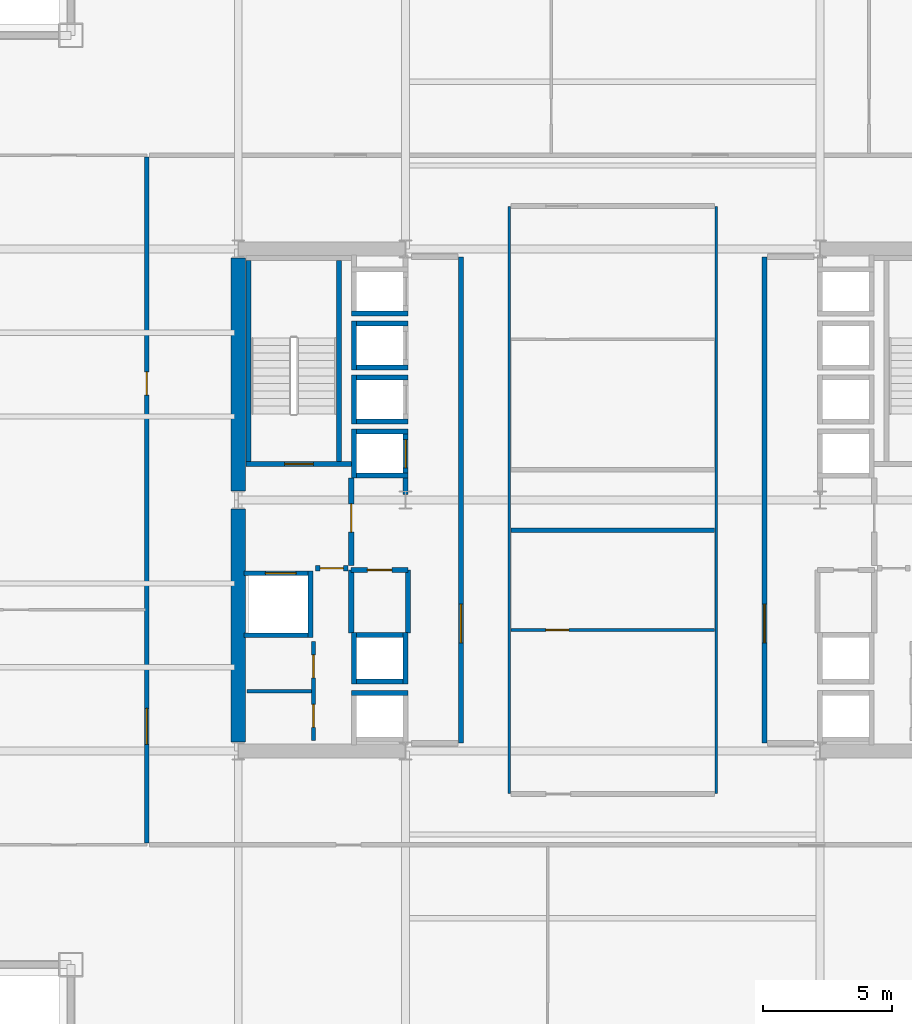
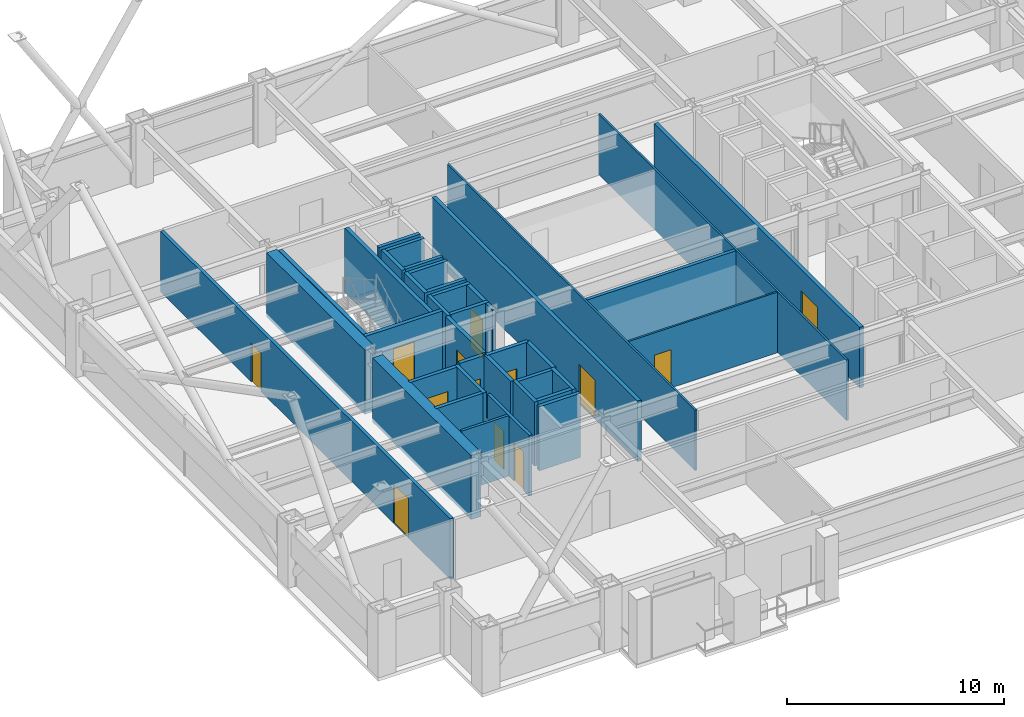
# One storey, part 27 of 33: 38 walls, 13 doors, 13 openings.
"""IFC4 building model written with IfcOpenShell, lengths in metres."""

from ifc_helpers import new_model, si_unit, direction, frame, frame_2d, origin, place, context, subcontext, project, spatial, rectangle, extrude, material, layer, layer_set, type_object, element, fill, save


model = new_model("IFC4")

# Units and contexts
model_context = context("Model", 3, precision=1e-05, world=origin(), true_north=direction((0.0, 1.0)))
body_context = subcontext(model_context, "Body", "Model", "MODEL_VIEW")
ifc_project = project(units=[si_unit("LENGTHUNIT", "METRE"), si_unit("AREAUNIT", "SQUARE_METRE"), si_unit("VOLUMEUNIT", "CUBIC_METRE"), si_unit("PLANEANGLEUNIT", "RADIAN"), si_unit("MASSUNIT", "GRAM", prefix="KILO")], contexts=[model_context])

# Site, building, storey
site_placement = place(None, origin())
site = spatial("IfcSite", under=ifc_project, at=site_placement, CompositionType="ELEMENT")
building_placement = place(site_placement, origin())
building = spatial("IfcBuilding", under=site, at=building_placement, Name="Brelmoor Portico Tower", CompositionType="ELEMENT")
storey_placement = place(building_placement, frame((0.0, 0.0, 34.800048828125)))
storey = spatial("IfcBuildingStorey", under=building, at=storey_placement, Name="L08", CompositionType="ELEMENT", Elevation=34.800048828125)

# Walls
ifc_material_1 = material(Name="Concrete C60", Category="concrete")
ifc_layer_1 = layer(ifc_material_1, 0.550048828125)
ifc_layer_set_1 = layer_set([ifc_layer_1], Name="Concrete C60")
wall_type_1 = type_object("IfcWallType", Name="WL-CORE-550", PredefinedType="SHEAR", material=ifc_layer_set_1)
for number, where, z_axis, x_axis, name in (
    (1, (-14.550048828125, -9.39990234375, -0.199951171875), (0.0, 0.0, 1.0), (0.0, 1.0, 0.0), "L08 WC Outer South Shear Wall"),
    (2, (-14.550048828125, 0.35009765625, -0.199951171875), (0.0, 0.0, 1.0), (0.0, 1.0, 0.0), "L08 WC Outer North Shear Wall"),
):
    element("IfcWall", number, at=place(storey_placement, frame(where, z_axis=z_axis, x_axis=x_axis)), inside=storey, type_object=wall_type_1, Name=name, PredefinedType="SHEAR", context=body_context, shape_type="SweptSolid", body=[
        extrude(rectangle(XDim=9.0498046875, YDim=0.550048828125, at=frame_2d((4.52490234375, 0.0))), origin(), (0.0, 0.0, 1.0), 3.599853515625),
    ])
ifc_material_2 = material(Name="Demountable Glazed Office Partition", Category="aluminium")
ifc_layer_2 = layer(ifc_material_2, 0.10009765625)
ifc_layer_set_2 = layer_set([ifc_layer_2], Name="Demountable Glazed Office Partition")
wall_type_2 = type_object("IfcWallType", Name="WL-PART-100", PredefinedType="PARTITIONING", material=ifc_layer_set_2)
for number, where, z_axis, x_axis, name in (
    (3, (-4.02001953125, -11.39990234375, 0.0), (0.0, 0.0, 1.0), (0.0, 1.0, 0.0), "L08 Central Suite West Wall"),
    (4, (4.02001953125, -11.39990234375, 0.0), (0.0, 0.0, 1.0), (0.0, 1.0, 0.0), "L08 Central Suite East Wall"),
):
    element("IfcWall", number, at=place(storey_placement, frame(where, z_axis=z_axis, x_axis=x_axis)), inside=storey, type_object=wall_type_2, Name=name, PredefinedType="PARTITIONING", context=body_context, shape_type="SweptSolid", body=[
        extrude(rectangle(XDim=22.7998046875, YDim=0.10009765625, at=frame_2d((11.39990234375, 0.0))), origin(), (0.0, 0.0, 1.0), 3.39990234375),
    ])

# Wall, opening, door
wall_1_placement = place(storey_placement, frame((-3.949951171875, -5.050048828125, 0.0), z_axis=(0.0, 0.0, 1.0), x_axis=(1.0, 0.0, 0.0)))
wall_1 = element("IfcWall", 5, at=wall_1_placement, inside=storey, type_object=wall_type_2, Name="L08 Central Print Divider", PredefinedType="PARTITIONING", context=body_context, shape_type="SweptSolid", body=[
    extrude(rectangle(XDim=7.89990234375, YDim=0.10009765625, at=frame_2d((3.949951171875, 0.0))), origin(), (0.0, 0.0, 1.0), 3.39990234375),
])
opening_1_placement = place(wall_1_placement, frame((1.35009765625, 0.0, 0.0)))
opening_1 = element("IfcOpeningElement", 6, at=opening_1_placement, cuts=wall_1, Name="Opening D-IN1", PredefinedType="OPENING", context=body_context, shape_type="SweptSolid", body=[
    extrude(rectangle(XDim=0.89990234375, YDim=2.14990234375, at=frame_2d((0.449951171875, 1.074951171875))), frame((0.0, 0.06005859375, 0.0), z_axis=(0.0, -1.0, 0.0), x_axis=(1.0, 0.0, 0.0)), (0.0, 0.0, 1.0), 0.1201171875),
])
ifc_material_3 = material(Name="Lacquered Timber Suite Door", Category="wood")
door_type_1 = type_object("IfcDoorType", Name="DR-INT-900", OperationType="NOTDEFINED", PredefinedType="DOOR", material=ifc_material_3)
door_1_placement = place(opening_1_placement, origin())
door_1 = element("IfcDoor", 7, at=door_1_placement, inside=storey, type_object=door_type_1, Name="D-0351 L08 Central Print Studio Door", OperationType="SINGLE_SWING_RIGHT", OverallHeight=2.14990234375, OverallWidth=0.89990234375, PredefinedType="DOOR", context=body_context, shape_type="SweptSolid", body=[
    extrude(rectangle(XDim=0.89990234375, YDim=2.14990234375, at=frame_2d((0.449951171875, 1.074951171875))), frame((0.0, 0.02490234375, 0.0), z_axis=(0.0, -1.0, 0.0), x_axis=(1.0, 0.0, 0.0)), (0.0, 0.0, 1.0), 0.050048828125),
])
fill(opening_1, door_1)

# Wall
ifc_material_4 = material(Name="Insulated Stud Suite Partition", Category="gypsum")
ifc_layer_3 = layer(ifc_material_4, 0.139892578125)
ifc_layer_set_3 = layer_set([ifc_layer_3], Name="Insulated Stud Suite Partition")
wall_type_3 = type_object("IfcWallType", Name="WL-PART-140", PredefinedType="PARTITIONING", material=ifc_layer_set_3)
wall_2_placement = place(storey_placement, frame((-11.699951171875, -7.425048828125, 0.0), z_axis=(0.0, 0.0, 1.0), x_axis=(-1.0, 0.0, 0.0)))
element("IfcWall", 8, at=wall_2_placement, inside=storey, type_object=wall_type_3, Name="L08 W Core WC Divider 1", PredefinedType="PARTITIONING", context=body_context, shape_type="SweptSolid", body=[
    extrude(rectangle(XDim=2.5, YDim=0.139892578125, at=frame_2d((1.25, 0.0))), origin(), (0.0, 0.0, 1.0), 3.39990234375),
])

# Wall, openings, doors
ifc_material_5 = material(Name="Twin-Frame Acoustic Partition", Category="gypsum")
ifc_layer_4 = layer(ifc_material_5, 0.159912109375)
ifc_layer_set_4 = layer_set([ifc_layer_4], Name="Twin-Frame Acoustic Partition")
wall_type_4 = type_object("IfcWallType", Name="WL-PART-160", PredefinedType="PARTITIONING", material=ifc_layer_set_4)
wall_3_placement = place(storey_placement, frame((-11.6201171875, -9.35009765625, 0.0), z_axis=(0.0, 0.0, 1.0), x_axis=(0.0, 1.0, 0.0)))
wall_3 = element("IfcWall", 9, at=wall_3_placement, inside=storey, type_object=wall_type_4, Name="L08 W Core Service Front Wall", PredefinedType="PARTITIONING", context=body_context, shape_type="SweptSolid", body=[
    extrude(rectangle(XDim=3.85009765625, YDim=0.159912109375, at=frame_2d((1.925048828125, 0.0))), origin(), (0.0, 0.0, 1.0), 3.39990234375),
])
opening_2_placement = place(wall_3_placement, frame((0.512451171875, 0.0, 0.0)))
opening_2 = element("IfcOpeningElement", 10, at=opening_2_placement, cuts=wall_3, Name="Opening D-IN1", PredefinedType="OPENING", context=body_context, shape_type="SweptSolid", body=[
    extrude(rectangle(XDim=0.89990234375, YDim=2.14990234375, at=frame_2d((0.449951171875, 1.074951171875))), frame((0.0, 0.08984375, 0.0), z_axis=(0.0, -1.0, 0.0), x_axis=(1.0, 0.0, 0.0)), (0.0, 0.0, 1.0), 0.179931640625),
])
opening_3_placement = place(wall_3_placement, frame((2.4375, 0.0, 0.0)))
opening_3 = element("IfcOpeningElement", 11, at=opening_3_placement, cuts=wall_3, Name="Opening D-IN1", PredefinedType="OPENING", context=body_context, shape_type="SweptSolid", body=[
    extrude(rectangle(XDim=0.89990234375, YDim=2.14990234375, at=frame_2d((0.449951171875, 1.074951171875))), frame((0.0, 0.08984375, 0.0), z_axis=(0.0, -1.0, 0.0), x_axis=(1.0, 0.0, 0.0)), (0.0, 0.0, 1.0), 0.179931640625),
])
door_2_placement = place(opening_2_placement, origin())
door_2 = element("IfcDoor", 12, at=door_2_placement, inside=storey, type_object=door_type_1, Name="D-0356 L08 W Accessible WC Door", OperationType="SINGLE_SWING_RIGHT", OverallHeight=2.14990234375, OverallWidth=0.89990234375, PredefinedType="DOOR", context=body_context, shape_type="SweptSolid", body=[
    extrude(rectangle(XDim=0.89990234375, YDim=2.14990234375, at=frame_2d((0.449951171875, 1.074951171875))), frame((0.0, 0.02490234375, 0.0), z_axis=(0.0, -1.0, 0.0), x_axis=(1.0, 0.0, 0.0)), (0.0, 0.0, 1.0), 0.050048828125),
])
fill(opening_2, door_2)
door_3_placement = place(opening_3_placement, origin())
door_3 = element("IfcDoor", 13, at=door_3_placement, inside=storey, type_object=door_type_1, Name="D-0357 L08 W Staff WC Door", OperationType="SINGLE_SWING_LEFT", OverallHeight=2.14990234375, OverallWidth=0.89990234375, PredefinedType="DOOR", context=body_context, shape_type="SweptSolid", body=[
    extrude(rectangle(XDim=0.89990234375, YDim=2.14990234375, at=frame_2d((0.449951171875, 1.074951171875))), frame((0.0, 0.02490234375, 0.0), z_axis=(0.0, -1.0, 0.0), x_axis=(1.0, 0.0, 0.0)), (0.0, 0.0, 1.0), 0.050048828125),
])
fill(opening_3, door_3)

# Wall
ifc_material_6 = material(Name="Acoustic Corridor Fire Partition", Category="gypsum")
ifc_layer_5 = layer(ifc_material_6, 0.179931640625)
ifc_layer_set_5 = layer_set([ifc_layer_5], Name="Acoustic Corridor Fire Partition")
wall_type_5 = type_object("IfcWallType", Name="WL-PART-180", PredefinedType="PARTITIONING", material=ifc_layer_set_5)
wall_4_placement = place(storey_placement, frame((-3.949951171875, -1.179931640625, 0.0), z_axis=(0.0, 0.0, 1.0), x_axis=(1.0, 0.0, 0.0)))
element("IfcWall", 14, at=wall_4_placement, inside=storey, type_object=wall_type_5, Name="L08 Central Pantry North Wall", PredefinedType="PARTITIONING", context=body_context, shape_type="SweptSolid", body=[
    extrude(rectangle(XDim=7.89990234375, YDim=0.179931640625, at=frame_2d((3.949951171875, 0.0))), origin(), (0.0, 0.0, 1.0), 3.39990234375),
])

# Wall, openings, doors
wall_5_placement = place(storey_placement, frame((-18.10009765625, -13.320068359375, 0.0), z_axis=(0.0, 0.0, 1.0), x_axis=(0.0, 1.0, 0.0)))
wall_5 = element("IfcWall", 15, at=wall_5_placement, inside=storey, type_object=wall_type_5, Name="L08 W Wing Corridor Wall", PredefinedType="PARTITIONING", context=body_context, shape_type="SweptSolid", body=[
    extrude(rectangle(XDim=26.64013671875, YDim=0.179931640625, at=frame_2d((13.320068359375, 0.0))), origin(), (0.0, 0.0, 1.0), 3.39990234375),
])
opening_4_placement = place(wall_5_placement, frame((3.828857421875, 0.0, 0.0)))
opening_4 = element("IfcOpeningElement", 16, at=opening_4_placement, cuts=wall_5, Name="Opening D-SU2", PredefinedType="OPENING", context=body_context, shape_type="SweptSolid", body=[
    extrude(rectangle(XDim=1.39990234375, YDim=2.199951171875, at=frame_2d((0.699951171875, 1.10009765625))), frame((0.0, 0.099853515625, 0.0), z_axis=(0.0, -1.0, 0.0), x_axis=(1.0, 0.0, 0.0)), (0.0, 0.0, 1.0), 0.199951171875),
])
opening_5_placement = place(wall_5_placement, frame((17.398681640625, 0.0, 0.0)))
opening_5 = element("IfcOpeningElement", 17, at=opening_5_placement, cuts=wall_5, Name="Opening D-IN1", PredefinedType="OPENING", context=body_context, shape_type="SweptSolid", body=[
    extrude(rectangle(XDim=0.89990234375, YDim=2.14990234375, at=frame_2d((0.449951171875, 1.074951171875))), frame((0.0, 0.099853515625, 0.0), z_axis=(0.0, -1.0, 0.0), x_axis=(1.0, 0.0, 0.0)), (0.0, 0.0, 1.0), 0.199951171875),
])
door_4_placement = place(opening_5_placement, origin())
door_4 = element("IfcDoor", 18, at=door_4_placement, inside=storey, type_object=door_type_1, Name="D-0383 L08 W Open-Plan Office 2 Door", OperationType="SINGLE_SWING_LEFT", OverallHeight=2.14990234375, OverallWidth=0.89990234375, PredefinedType="DOOR", context=body_context, shape_type="SweptSolid", body=[
    extrude(rectangle(XDim=0.89990234375, YDim=2.14990234375, at=frame_2d((0.449951171875, 1.074951171875))), frame((0.0, 0.02490234375, 0.0), z_axis=(0.0, -1.0, 0.0), x_axis=(1.0, 0.0, 0.0)), (0.0, 0.0, 1.0), 0.050048828125),
])
fill(opening_5, door_4)
ifc_material_7 = material(Name="Double-Leaf Acoustic Suite Door", Category="timber")
door_type_2 = type_object("IfcDoorType", Name="DR-SUITE-1400", OperationType="NOTDEFINED", PredefinedType="DOOR", material=ifc_material_7)
door_5_placement = place(opening_4_placement, origin())
door_5 = element("IfcDoor", 19, at=door_5_placement, inside=storey, type_object=door_type_2, Name="D-0382 L08 W Quiet Reading Study 1 Door", OperationType="DOUBLE_DOOR_SINGLE_SWING", OverallHeight=2.199951171875, OverallWidth=1.39990234375, PredefinedType="DOOR", context=body_context, shape_type="SweptSolid", body=[
    extrude(rectangle(XDim=1.39990234375, YDim=2.199951171875, at=frame_2d((0.699951171875, 1.10009765625))), frame((0.0, 0.02490234375, 0.0), z_axis=(0.0, -1.0, 0.0), x_axis=(1.0, 0.0, 0.0)), (0.0, 0.0, 1.0), 0.050048828125),
])
fill(opening_4, door_5)

# Wall, opening, door
ifc_material_8 = material(Name="Double-Stud Gypsum Fire Partition", Category="gypsum")
ifc_layer_6 = layer(ifc_material_8, 0.199951171875)
ifc_layer_set_6 = layer_set([ifc_layer_6], Name="Double-Stud Gypsum Fire Partition")
wall_type_6 = type_object("IfcWallType", Name="WL-PART-200", PredefinedType="PARTITIONING", material=ifc_layer_set_6)
wall_6_placement = place(storey_placement, frame((-5.89990234375, -9.449951171875, 0.0), z_axis=(0.0, 0.0, 1.0), x_axis=(0.0, 1.0, 0.0)))
wall_6 = element("IfcWall", 20, at=wall_6_placement, inside=storey, type_object=wall_type_6, Name="L08 W Core Lobby Compartment Wall", PredefinedType="PARTITIONING", context=body_context, shape_type="SweptSolid", body=[
    extrude(rectangle(XDim=18.89990234375, YDim=0.199951171875, at=frame_2d((9.449951171875, 0.0))), origin(), (0.0, 0.0, 1.0), 3.39990234375),
])
opening_6_placement = place(wall_6_placement, frame((3.89990234375, 0.0, 0.0)))
opening_6 = element("IfcOpeningElement", 21, at=opening_6_placement, cuts=wall_6, Name="Opening D-LB1", PredefinedType="OPENING", context=body_context, shape_type="SweptSolid", body=[
    extrude(rectangle(XDim=1.5, YDim=2.199951171875, at=frame_2d((0.75, 1.10009765625))), frame((0.0, 0.10986328125, 0.0), z_axis=(0.0, -1.0, 0.0), x_axis=(1.0, 0.0, 0.0)), (0.0, 0.0, 1.0), 0.219970703125),
])
ifc_material_9 = material(Name="Double-Leaf Glazed Steel Fire Door", Category="steel")
door_type_3 = type_object("IfcDoorType", Name="DR-LOBBY-1500", OperationType="NOTDEFINED", PredefinedType="DOOR", material=ifc_material_9)
door_6_placement = place(opening_6_placement, origin())
door_6 = element("IfcDoor", 22, at=door_6_placement, inside=storey, type_object=door_type_3, Name="D-0363 L08 W Lift Lobby Main Door", OperationType="DOUBLE_DOOR_SINGLE_SWING", OverallHeight=2.199951171875, OverallWidth=1.5, PredefinedType="DOOR", context=body_context, shape_type="SweptSolid", body=[
    extrude(rectangle(XDim=1.5, YDim=2.199951171875, at=frame_2d((0.75, 1.10009765625))), frame((0.0, 0.02490234375, 0.0), z_axis=(0.0, -1.0, 0.0), x_axis=(1.0, 0.0, 0.0)), (0.0, 0.0, 1.0), 0.050048828125),
])
fill(opening_6, door_6)

wall_7_placement = place(storey_placement, frame((-10.159912109375, -2.550048828125, 0.0), z_axis=(0.0, 0.0, 1.0), x_axis=(0.0, 1.0, 0.0)))
wall_7 = element("IfcWall", 23, at=wall_7_placement, inside=storey, type_object=wall_type_6, Name="L08 W Firefighting Lobby Wall", PredefinedType="PARTITIONING", context=body_context, shape_type="SweptSolid", body=[
    extrude(rectangle(XDim=3.400146484375, YDim=0.199951171875, at=frame_2d((1.7001953125, 0.0))), origin(), (0.0, 0.0, 1.0), 3.39990234375),
])
opening_7_placement = place(wall_7_placement, frame((1.300048828125, 0.0, 0.0)))
opening_7 = element("IfcOpeningElement", 24, at=opening_7_placement, cuts=wall_7, Name="Opening D-FR1", PredefinedType="OPENING", context=body_context, shape_type="SweptSolid", body=[
    extrude(rectangle(XDim=1.10009765625, YDim=2.14990234375, at=frame_2d((0.550048828125, 1.074951171875))), frame((0.0, 0.10986328125, 0.0), z_axis=(0.0, -1.0, 0.0), x_axis=(1.0, 0.0, 0.0)), (0.0, 0.0, 1.0), 0.219970703125),
])
ifc_material_10 = material(Name="Painted Galvanised Steel Fire Door", Category="steel")
door_type_4 = type_object("IfcDoorType", Name="DR-FIRE-1100", OperationType="NOTDEFINED", PredefinedType="DOOR", material=ifc_material_10)
door_7_placement = place(opening_7_placement, origin())
door_7 = element("IfcDoor", 25, at=door_7_placement, inside=storey, type_object=door_type_4, Name="D-0361 L08 W Firefighting Lobby Door", OperationType="SINGLE_SWING_LEFT", OverallHeight=2.14990234375, OverallWidth=1.10009765625, PredefinedType="DOOR", context=body_context, shape_type="SweptSolid", body=[
    extrude(rectangle(XDim=1.10009765625, YDim=2.14990234375, at=frame_2d((0.550048828125, 1.074951171875))), frame((0.0, 0.02490234375, 0.0), z_axis=(0.0, -1.0, 0.0), x_axis=(1.0, 0.0, 0.0)), (0.0, 0.0, 1.0), 0.050048828125),
])
fill(opening_7, door_7)

wall_8_placement = place(storey_placement, frame((-10.280029296875, -2.64990234375, 0.0), z_axis=(0.0, 0.0, 1.0), x_axis=(-1.0, 0.0, 0.0)))
wall_8 = element("IfcWall", 26, at=wall_8_placement, inside=storey, type_object=wall_type_6, Name="L08 W Firefighting Lobby South Wall", PredefinedType="PARTITIONING", context=body_context, shape_type="SweptSolid", body=[
    extrude(rectangle(XDim=1.27001953125, YDim=0.199951171875, at=frame_2d((0.635009765625, 0.0))), origin(), (0.0, 0.0, 1.0), 3.39990234375),
])
opening_8_placement = place(wall_8_placement, frame((0.18505859375, 0.0, 0.0)))
opening_8 = element("IfcOpeningElement", 27, at=opening_8_placement, cuts=wall_8, Name="Opening D-IN1", PredefinedType="OPENING", context=body_context, shape_type="SweptSolid", body=[
    extrude(rectangle(XDim=0.89990234375, YDim=2.14990234375, at=frame_2d((0.449951171875, 1.074951171875))), frame((0.0, 0.10986328125, 0.0), z_axis=(0.0, -1.0, 0.0), x_axis=(1.0, 0.0, 0.0)), (0.0, 0.0, 1.0), 0.219970703125),
])
door_8_placement = place(opening_8_placement, origin())
door_8 = element("IfcDoor", 28, at=door_8_placement, inside=storey, type_object=door_type_1, Name="D-0355 L08 W Core Service Vestibule Door", OperationType="SINGLE_SWING_RIGHT", OverallHeight=2.14990234375, OverallWidth=0.89990234375, PredefinedType="DOOR", context=body_context, shape_type="SweptSolid", body=[
    extrude(rectangle(XDim=0.89990234375, YDim=2.14990234375, at=frame_2d((0.449951171875, 1.074951171875))), frame((0.0, 0.02490234375, 0.0), z_axis=(0.0, -1.0, 0.0), x_axis=(1.0, 0.0, 0.0)), (0.0, 0.0, 1.0), 0.050048828125),
])
fill(opening_8, door_8)

wall_9_placement = place(storey_placement, frame((-7.9599609375, -2.719970703125, 0.0), z_axis=(0.0, 0.0, 1.0), x_axis=(-1.0, 0.0, 0.0)))
wall_9 = element("IfcWall", 29, at=wall_9_placement, inside=storey, type_object=wall_type_6, Name="L08 W Electrical Switchgear Closet Wall", PredefinedType="PARTITIONING", context=body_context, shape_type="SweptSolid", body=[
    extrude(rectangle(XDim=2.199951171875, YDim=0.199951171875, at=frame_2d((1.10009765625, 0.0))), origin(), (0.0, 0.0, 1.0), 3.39990234375),
])
opening_9_placement = place(wall_9_placement, frame((0.6201171875, 0.0, 0.0)))
opening_9 = element("IfcOpeningElement", 30, at=opening_9_placement, cuts=wall_9, Name="Opening D-FR4", PredefinedType="OPENING", context=body_context, shape_type="SweptSolid", body=[
    extrude(rectangle(XDim=0.949951171875, YDim=2.10009765625, at=frame_2d((0.47509765625, 1.050048828125))), frame((0.0, 0.10986328125, 0.0), z_axis=(0.0, -1.0, 0.0), x_axis=(1.0, 0.0, 0.0)), (0.0, 0.0, 1.0), 0.219970703125),
])
ifc_material_11 = material(Name="Painted Galvanised Steel Riser Door", Category="steel")
door_type_5 = type_object("IfcDoorType", Name="DR-FIRE-950", OperationType="NOTDEFINED", PredefinedType="DOOR", material=ifc_material_11)
door_9_placement = place(opening_9_placement, origin())
door_9 = element("IfcDoor", 31, at=door_9_placement, inside=storey, type_object=door_type_5, Name="D-0359 L08 W Electrical Switchgear Closet Door", OperationType="SINGLE_SWING_LEFT", OverallHeight=2.10009765625, OverallWidth=0.949951171875, PredefinedType="DOOR", context=body_context, shape_type="SweptSolid", body=[
    extrude(rectangle(XDim=0.949951171875, YDim=2.10009765625, at=frame_2d((0.47509765625, 1.050048828125))), frame((0.0, 0.02490234375, 0.0), z_axis=(0.0, -1.0, 0.0), x_axis=(1.0, 0.0, 0.0)), (0.0, 0.0, 1.0), 0.050048828125),
])
fill(opening_9, door_9)

# Walls
for number, where, z_axis, x_axis, name in (
    (32, (-7.9599609375, -5.159912109375, 0.0), (0.0, 0.0, 1.0), (0.0, 1.0, 0.0), "L08 W Electrical Switchgear Closet Inner Wall"),
    (33, (-10.159912109375, -5.159912109375, 0.0), (0.0, 0.0, 1.0), (0.0, 1.0, 0.0), "L08 W Electrical Switchgear Closet Outer Wall"),
):
    element("IfcWall", number, at=place(storey_placement, frame(where, z_axis=z_axis, x_axis=x_axis)), inside=storey, type_object=wall_type_6, Name=name, PredefinedType="PARTITIONING", context=body_context, shape_type="SweptSolid", body=[
        extrude(rectangle(XDim=2.43994140625, YDim=0.199951171875, at=frame_2d((1.219970703125, 0.0))), origin(), (0.0, 0.0, 1.0), 3.39990234375),
    ])

# Wall, opening, door
wall_10_placement = place(storey_placement, frame((5.89990234375, -9.449951171875, 0.0), z_axis=(0.0, 0.0, 1.0), x_axis=(0.0, 1.0, 0.0)))
wall_10 = element("IfcWall", 34, at=wall_10_placement, inside=storey, type_object=wall_type_6, Name="L08 E Core Lobby Compartment Wall", PredefinedType="PARTITIONING", context=body_context, shape_type="SweptSolid", body=[
    extrude(rectangle(XDim=18.89990234375, YDim=0.199951171875, at=frame_2d((9.449951171875, 0.0))), origin(), (0.0, 0.0, 1.0), 3.39990234375),
])
opening_10_placement = place(wall_10_placement, frame((3.89990234375, 0.0, 0.0)))
opening_10 = element("IfcOpeningElement", 35, at=opening_10_placement, cuts=wall_10, Name="Opening D-LB1", PredefinedType="OPENING", context=body_context, shape_type="SweptSolid", body=[
    extrude(rectangle(XDim=1.5, YDim=2.199951171875, at=frame_2d((0.75, 1.10009765625))), frame((0.0, 0.10986328125, 0.0), z_axis=(0.0, -1.0, 0.0), x_axis=(1.0, 0.0, 0.0)), (0.0, 0.0, 1.0), 0.219970703125),
])
door_10_placement = place(opening_10_placement, origin())
door_10 = element("IfcDoor", 36, at=door_10_placement, inside=storey, type_object=door_type_3, Name="D-0362 L08 E Lift Lobby Main Door", OperationType="DOUBLE_DOOR_SINGLE_SWING", OverallHeight=2.199951171875, OverallWidth=1.5, PredefinedType="DOOR", context=body_context, shape_type="SweptSolid", body=[
    extrude(rectangle(XDim=1.5, YDim=2.199951171875, at=frame_2d((0.75, 1.10009765625))), frame((0.0, 0.02490234375, 0.0), z_axis=(0.0, -1.0, 0.0), x_axis=(1.0, 0.0, 0.0)), (0.0, 0.0, 1.0), 0.050048828125),
])
fill(opening_10, door_10)

ifc_material_12 = material(Name="Precast Concrete C40", Category="concrete")
ifc_layer_7 = layer(ifc_material_12, 0.18994140625)
ifc_layer_set_7 = layer_set([ifc_layer_7], Name="Precast Concrete C40")
wall_type_7 = type_object("IfcWallType", Name="WL-SHAFT-180", PredefinedType="SOLIDWALL", material=ifc_layer_set_7)
wall_11_placement = place(storey_placement, frame((-8.044921875, 0.2099609375, -0.199951171875), z_axis=(0.0, 0.0, 1.0), x_axis=(0.0, 1.0, 0.0)))
wall_11 = element("IfcWall", 37, at=wall_11_placement, inside=storey, type_object=wall_type_7, Name="L08 Lift PL1 Hoistway Front Wall", PredefinedType="SOLIDWALL", context=body_context, shape_type="SweptSolid", body=[
    extrude(rectangle(XDim=2.5400390625, YDim=0.18994140625, at=frame_2d((1.27001953125, 0.0))), origin(), (0.0, 0.0, 1.0), 3.599853515625),
])
opening_11_placement = place(wall_11_placement, frame((1.0400390625, 0.0, 0.199951171875)))
opening_11 = element("IfcOpeningElement", 38, at=opening_11_placement, cuts=wall_11, Name="Opening LD-01", PredefinedType="OPENING", context=body_context, shape_type="SweptSolid", body=[
    extrude(rectangle(XDim=1.10009765625, YDim=2.199951171875, at=frame_2d((0.550048828125, 1.10009765625))), frame((0.0, 0.10498046875, 0.0), z_axis=(0.0, -1.0, 0.0), x_axis=(1.0, 0.0, 0.0)), (0.0, 0.0, 1.0), 0.2099609375),
])
ifc_material_13 = material(Name="Brushed Stainless Steel Sliding Lift Door", Category="steel")
door_type_6 = type_object("IfcDoorType", Name="DR-LIFT-1100", OperationType="NOTDEFINED", PredefinedType="DOOR", material=ifc_material_13)
door_11_placement = place(opening_11_placement, origin())
door_11 = element("IfcDoor", 39, at=door_11_placement, inside=storey, type_object=door_type_6, Name="D-0387 L08 Lift PL1 Sliding Landing Door", OperationType="SLIDING_TO_LEFT", OverallHeight=2.199951171875, OverallWidth=1.10009765625, PredefinedType="DOOR", context=body_context, shape_type="SweptSolid", body=[
    extrude(rectangle(XDim=1.10009765625, YDim=2.199951171875, at=frame_2d((0.550048828125, 1.10009765625))), frame((0.0, 0.02490234375, 0.0), z_axis=(0.0, -1.0, 0.0), x_axis=(1.0, 0.0, 0.0)), (0.0, 0.0, 1.0), 0.050048828125),
])
fill(opening_11, door_11)

# Walls
wall_12_placement = place(storey_placement, frame((-10.054931640625, 0.85009765625, -0.199951171875), z_axis=(0.0, 0.0, 1.0), x_axis=(0.0, 1.0, 0.0)))
element("IfcWall", 40, at=wall_12_placement, inside=storey, type_object=wall_type_7, Name="L08 Lift PL1 Hoistway Back Wall", PredefinedType="SOLIDWALL", context=body_context, shape_type="SweptSolid", body=[
    extrude(rectangle(XDim=1.89990234375, YDim=0.18994140625, at=frame_2d((0.949951171875, 0.0))), origin(), (0.0, 0.0, 1.0), 3.599853515625),
])
for number, where, z_axis, x_axis, name in (
    (41, (-10.14990234375, 2.655029296875, -0.199951171875), (0.0, 0.0, 1.0), (1.0, 0.0, 0.0), "L08 Lift PL1 Hoistway North Wall"),
    (42, (-10.14990234375, 0.945068359375, -0.199951171875), (0.0, 0.0, 1.0), (1.0, 0.0, 0.0), "L08 Lift PL1 Hoistway South Wall"),
):
    element("IfcWall", number, at=place(storey_placement, frame(where, z_axis=z_axis, x_axis=x_axis)), inside=storey, type_object=wall_type_7, Name=name, PredefinedType="SOLIDWALL", context=body_context, shape_type="SweptSolid", body=[
        extrude(rectangle(XDim=2.199951171875, YDim=0.18994140625, at=frame_2d((1.10009765625, 0.0))), origin(), (0.0, 0.0, 1.0), 3.599853515625),
    ])
wall_13_placement = place(storey_placement, frame((-10.054931640625, 2.949951171875, -0.199951171875), z_axis=(0.0, 0.0, 1.0), x_axis=(0.0, 1.0, 0.0)))
element("IfcWall", 43, at=wall_13_placement, inside=storey, type_object=wall_type_7, Name="L08 Lift PL2 Hoistway Back Wall", PredefinedType="SOLIDWALL", context=body_context, shape_type="SweptSolid", body=[
    extrude(rectangle(XDim=1.900146484375, YDim=0.18994140625, at=frame_2d((0.9501953125, 0.0))), origin(), (0.0, 0.0, 1.0), 3.599853515625),
])
for number, where, z_axis, x_axis, name in (
    (44, (-10.14990234375, 4.7548828125, -0.199951171875), (0.0, 0.0, 1.0), (1.0, 0.0, 0.0), "L08 Lift PL2 Hoistway North Wall"),
    (45, (-10.14990234375, 3.044921875, -0.199951171875), (0.0, 0.0, 1.0), (1.0, 0.0, 0.0), "L08 Lift PL2 Hoistway South Wall"),
):
    element("IfcWall", number, at=place(storey_placement, frame(where, z_axis=z_axis, x_axis=x_axis)), inside=storey, type_object=wall_type_7, Name=name, PredefinedType="SOLIDWALL", context=body_context, shape_type="SweptSolid", body=[
        extrude(rectangle(XDim=2.199951171875, YDim=0.18994140625, at=frame_2d((1.10009765625, 0.0))), origin(), (0.0, 0.0, 1.0), 3.599853515625),
    ])
wall_14_placement = place(storey_placement, frame((-10.054931640625, 5.050048828125, -0.199951171875), z_axis=(0.0, 0.0, 1.0), x_axis=(0.0, 1.0, 0.0)))
element("IfcWall", 46, at=wall_14_placement, inside=storey, type_object=wall_type_7, Name="L08 Lift PL3 Hoistway Back Wall", PredefinedType="SOLIDWALL", context=body_context, shape_type="SweptSolid", body=[
    extrude(rectangle(XDim=1.89990234375, YDim=0.18994140625, at=frame_2d((0.949951171875, 0.0))), origin(), (0.0, 0.0, 1.0), 3.599853515625),
])
for number, where, z_axis, x_axis, name in (
    (47, (-10.14990234375, 6.85498046875, -0.199951171875), (0.0, 0.0, 1.0), (1.0, 0.0, 0.0), "L08 Lift PL3 Hoistway North Wall"),
    (48, (-10.14990234375, 5.14501953125, -0.199951171875), (0.0, 0.0, 1.0), (1.0, 0.0, 0.0), "L08 Lift PL3 Hoistway South Wall"),
    (49, (-10.14990234375, 7.2451171875, -0.199951171875), (0.0, 0.0, 1.0), (1.0, 0.0, 0.0), "L08 Lift PL4 Hoistway South Wall"),
    (50, (-10.14990234375, -7.4951171875, -0.199951171875), (0.0, 0.0, 1.0), (1.0, 0.0, 0.0), "L08 Lift PH1 Hoistway North Wall"),
):
    element("IfcWall", number, at=place(storey_placement, frame(where, z_axis=z_axis, x_axis=x_axis)), inside=storey, type_object=wall_type_7, Name=name, PredefinedType="SOLIDWALL", context=body_context, shape_type="SweptSolid", body=[
        extrude(rectangle(XDim=2.199951171875, YDim=0.18994140625, at=frame_2d((1.10009765625, 0.0))), origin(), (0.0, 0.0, 1.0), 3.599853515625),
    ])
for number, where, z_axis, x_axis, name in (
    (51, (-8.044921875, -7.14990234375, -0.199951171875), (0.0, 0.0, 1.0), (0.0, 1.0, 0.0), "L08 Lift PH2 Hoistway Front Wall"),
    (52, (-10.054931640625, -7.14990234375, -0.199951171875), (0.0, 0.0, 1.0), (0.0, 1.0, 0.0), "L08 Lift PH2 Hoistway Back Wall"),
):
    element("IfcWall", number, at=place(storey_placement, frame(where, z_axis=z_axis, x_axis=x_axis)), inside=storey, type_object=wall_type_7, Name=name, PredefinedType="SOLIDWALL", context=body_context, shape_type="SweptSolid", body=[
        extrude(rectangle(XDim=2.0, YDim=0.18994140625, at=frame_2d((1.0, 0.0))), origin(), (0.0, 0.0, 1.0), 3.599853515625),
    ])
for number, where, z_axis, x_axis, name in (
    (53, (-10.14990234375, -5.2451171875, -0.199951171875), (0.0, 0.0, 1.0), (1.0, 0.0, 0.0), "L08 Lift PH2 Hoistway North Wall"),
    (54, (-10.14990234375, -7.054931640625, -0.199951171875), (0.0, 0.0, 1.0), (1.0, 0.0, 0.0), "L08 Lift PH2 Hoistway South Wall"),
):
    element("IfcWall", number, at=place(storey_placement, frame(where, z_axis=z_axis, x_axis=x_axis)), inside=storey, type_object=wall_type_7, Name=name, PredefinedType="SOLIDWALL", context=body_context, shape_type="SweptSolid", body=[
        extrude(rectangle(XDim=2.199951171875, YDim=0.18994140625, at=frame_2d((1.10009765625, 0.0))), origin(), (0.0, 0.0, 1.0), 3.599853515625),
    ])

# Wall, opening, door
wall_15_placement = place(storey_placement, frame((-14.330078125, -2.844970703125, -0.199951171875), z_axis=(0.0, 0.0, 1.0), x_axis=(1.0, 0.0, 0.0)))
wall_15 = element("IfcWall", 55, at=wall_15_placement, inside=storey, type_object=wall_type_7, Name="L08 Lift FF1 Hoistway Front Wall", PredefinedType="SOLIDWALL", context=body_context, shape_type="SweptSolid", body=[
    extrude(rectangle(XDim=2.68017578125, YDim=0.18994140625, at=frame_2d((1.340087890625, 0.0))), origin(), (0.0, 0.0, 1.0), 3.599853515625),
])
opening_12_placement = place(wall_15_placement, frame((0.830078125, 0.0, 0.199951171875)))
opening_12 = element("IfcOpeningElement", 56, at=opening_12_placement, cuts=wall_15, Name="Opening LD-02", PredefinedType="OPENING", context=body_context, shape_type="SweptSolid", body=[
    extrude(rectangle(XDim=1.199951171875, YDim=2.199951171875, at=frame_2d((0.60009765625, 1.10009765625))), frame((0.0, 0.10498046875, 0.0), z_axis=(0.0, -1.0, 0.0), x_axis=(1.0, 0.0, 0.0)), (0.0, 0.0, 1.0), 0.2099609375),
])
ifc_material_14 = material(Name="Brushed Stainless Steel Firefighting Lift Door", Category="steel")
door_type_7 = type_object("IfcDoorType", Name="DR-LIFT-1200", OperationType="NOTDEFINED", PredefinedType="DOOR", material=ifc_material_14)
door_12_placement = place(opening_12_placement, origin())
door_12 = element("IfcDoor", 57, at=door_12_placement, inside=storey, type_object=door_type_7, Name="D-0385 L08 Lift FF1 Sliding Landing Door", OperationType="SLIDING_TO_LEFT", OverallHeight=2.199951171875, OverallWidth=1.199951171875, PredefinedType="DOOR", context=body_context, shape_type="SweptSolid", body=[
    extrude(rectangle(XDim=1.199951171875, YDim=2.199951171875, at=frame_2d((0.60009765625, 1.10009765625))), frame((0.0, 0.02490234375, 0.0), z_axis=(0.0, -1.0, 0.0), x_axis=(1.0, 0.0, 0.0)), (0.0, 0.0, 1.0), 0.050048828125),
])
fill(opening_12, door_12)

# Walls
wall_16_placement = place(storey_placement, frame((-14.330078125, -5.2548828125, -0.199951171875), z_axis=(0.0, 0.0, 1.0), x_axis=(1.0, 0.0, 0.0)))
element("IfcWall", 58, at=wall_16_placement, inside=storey, type_object=wall_type_7, Name="L08 Firefighting Lift FF1 South Wall", PredefinedType="SOLIDWALL", context=body_context, shape_type="SweptSolid", body=[
    extrude(rectangle(XDim=2.68017578125, YDim=0.18994140625, at=frame_2d((1.340087890625, 0.0))), origin(), (0.0, 0.0, 1.0), 3.599853515625),
])
wall_17_placement = place(storey_placement, frame((-11.7451171875, -5.35009765625, -0.199951171875), z_axis=(0.0, 0.0, 1.0), x_axis=(0.0, 1.0, 0.0)))
element("IfcWall", 59, at=wall_17_placement, inside=storey, type_object=wall_type_7, Name="L08 Firefighting Lift FF1 Inner Wall", PredefinedType="SOLIDWALL", context=body_context, shape_type="SweptSolid", body=[
    extrude(rectangle(XDim=2.60009765625, YDim=0.18994140625, at=frame_2d((1.300048828125, 0.0))), origin(), (0.0, 0.0, 1.0), 3.599853515625),
])
ifc_material_15 = material(Name="Concrete C40", Category="concrete")
ifc_layer_8 = layer(ifc_material_15, 0.199951171875)
ifc_layer_set_8 = layer_set([ifc_layer_8], Name="Concrete C40")
wall_type_8 = type_object("IfcWallType", Name="WL-SHAFT-RC200", PredefinedType="SOLIDWALL", material=ifc_layer_set_8)
wall_18_placement = place(storey_placement, frame((-14.14990234375, 1.5, -0.199951171875), z_axis=(0.0, 0.0, 1.0), x_axis=(0.0, 1.0, 0.0)))
element("IfcWall", 60, at=wall_18_placement, inside=storey, type_object=wall_type_8, Name="L08 ST-W Structural Stair Wall Outer", PredefinedType="SOLIDWALL", context=body_context, shape_type="SweptSolid", body=[
    extrude(rectangle(XDim=7.800048828125, YDim=0.199951171875, at=frame_2d((3.89990234375, 0.0))), origin(), (0.0, 0.0, 1.0), 3.599853515625),
])

# Wall, opening, door
wall_19_placement = place(storey_placement, frame((-14.25, 1.39990234375, -0.199951171875), z_axis=(0.0, 0.0, 1.0), x_axis=(1.0, 0.0, 0.0)))
wall_19 = element("IfcWall", 61, at=wall_19_placement, inside=storey, type_object=wall_type_8, Name="L08 ST-W Structural Stair Wall S", PredefinedType="SOLIDWALL", context=body_context, shape_type="SweptSolid", body=[
    extrude(rectangle(XDim=4.10009765625, YDim=0.199951171875, at=frame_2d((2.050048828125, 0.0))), origin(), (0.0, 0.0, 1.0), 3.599853515625),
])
opening_13_placement = place(wall_19_placement, frame((1.5, 0.0, 0.199951171875)))
opening_13 = element("IfcOpeningElement", 62, at=opening_13_placement, cuts=wall_19, Name="Opening D-ST1", PredefinedType="OPENING", context=body_context, shape_type="SweptSolid", body=[
    extrude(rectangle(XDim=1.1201171875, YDim=2.179931640625, at=frame_2d((0.56005859375, 1.08984375))), frame((0.0, 0.10986328125, 0.0), z_axis=(0.0, -1.0, 0.0), x_axis=(1.0, 0.0, 0.0)), (0.0, 0.0, 1.0), 0.219970703125),
])
door_type_8 = type_object("IfcDoorType", Name="DR-STAIR-1100", OperationType="NOTDEFINED", PredefinedType="DOOR", material=ifc_material_10)
door_13_placement = place(opening_13_placement, origin())
door_13 = element("IfcDoor", 63, at=door_13_placement, inside=storey, type_object=door_type_8, Name="D-0375 L08 ST-W Protected Exit Stair Door", OperationType="SINGLE_SWING_LEFT", OverallHeight=2.179931640625, OverallWidth=1.1201171875, PredefinedType="DOOR", context=body_context, shape_type="SweptSolid", body=[
    extrude(rectangle(XDim=1.1201171875, YDim=2.179931640625, at=frame_2d((0.56005859375, 1.08984375))), frame((0.0, 0.02490234375, 0.0), z_axis=(0.0, -1.0, 0.0), x_axis=(1.0, 0.0, 0.0)), (0.0, 0.0, 1.0), 0.050048828125),
])
fill(opening_13, door_13)

# Wall
wall_20_placement = place(storey_placement, frame((-10.6298828125, 1.5, -0.199951171875), z_axis=(0.0, 0.0, 1.0), x_axis=(0.0, 1.0, 0.0)))
element("IfcWall", 64, at=wall_20_placement, inside=storey, type_object=wall_type_8, Name="L08 ST-W Structural Stair Wall Inner", PredefinedType="SOLIDWALL", context=body_context, shape_type="SweptSolid", body=[
    extrude(rectangle(XDim=7.800048828125, YDim=0.199951171875, at=frame_2d((3.89990234375, 0.0))), origin(), (0.0, 0.0, 1.0), 3.599853515625),
])

save(model, "model.ifc")
